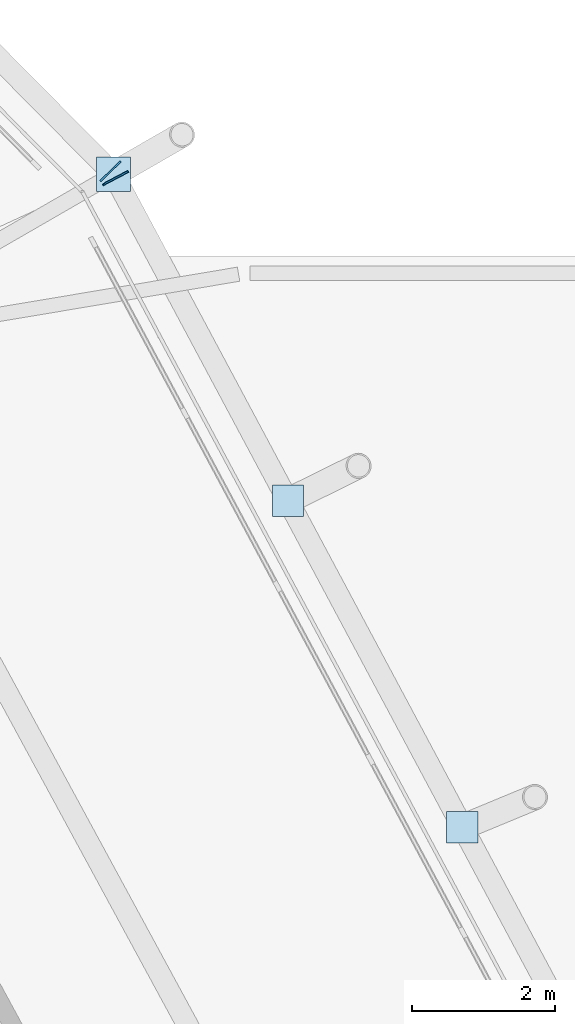
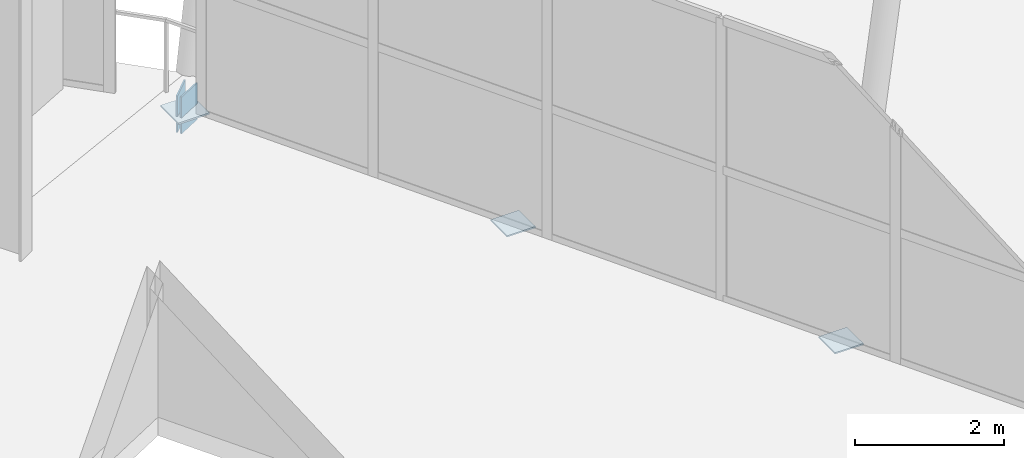
# One storey, part 88 of 126: 5 plates.
"""IFC4 building model written with IfcOpenShell, lengths in metres."""

from ifc_helpers import new_model, si_unit, direction, frame, origin, origin_2d, place, context, subcontext, project, spatial, rectangle, extrude, material, layer, layer_set, type_object, element, save


model = new_model("IFC4")

# Units and contexts
model_context = context("Model", 3, precision=1e-05, world=origin(), true_north=direction((0.0, 1.0)))
body_context = subcontext(model_context, "Body", "Model", "MODEL_VIEW")
ifc_project = project(units=[si_unit("LENGTHUNIT", "METRE"), si_unit("AREAUNIT", "SQUARE_METRE"), si_unit("VOLUMEUNIT", "CUBIC_METRE"), si_unit("PLANEANGLEUNIT", "RADIAN"), si_unit("MASSUNIT", "GRAM", prefix="KILO")], contexts=[model_context])

# Site, building, storey
site_placement = place(None, origin())
site = spatial("IfcSite", under=ifc_project, at=site_placement, CompositionType="ELEMENT")
building_placement = place(site_placement, origin())
building = spatial("IfcBuilding", under=site, at=building_placement, Name="Zlatoyarsky Gate Stadium", CompositionType="ELEMENT")
storey_placement = place(building_placement, frame((0.0, 0.0, 20.800048828125)))
storey = spatial("IfcBuildingStorey", under=building, at=storey_placement, Name="L04", CompositionType="ELEMENT", Elevation=20.800048828125)

# Plates
ifc_material = material(Name="Steel S355", Category="steel")
ifc_layer = layer(ifc_material, 0.02392578125)
ifc_layer_set = layer_set([ifc_layer], Name="Steel S355")
plate_type = type_object("IfcPlateType", Name="STEEL HOLLOW CHORD SPLICE SHEET 24", PredefinedType="SHEET", material=ifc_layer_set)
for number, where, z_axis, x_axis, name in (
    (1, (195.69921875, 117.831787109375, -0.85009765625), (0.0, 0.0, 1.0), (-0.471375588462, 0.881932568059, 0.0), "Hollow end cap ND-SP1 CAP-L04-SPD-01 B"),
    (2, (195.62890625, 117.927490234375, -0.85009765625), (0.0, 0.0, 1.0), (-0.703590883794, 0.71060528301, 0.0), "Hollow end cap ND-SP1 CAP-L04-SPD-02 A"),
):
    element("IfcPlate", number, at=place(storey_placement, frame(where, z_axis=z_axis, x_axis=x_axis)), inside=storey, type_object=plate_type, Name=name, PredefinedType="SHEET", context=body_context, shape_type="SweptSolid", body=[
        extrude(rectangle(XDim=0.02392578125, YDim=0.39990234375, at=origin_2d()), origin(), (0.0, 0.0, 1.0), 0.60009765625),
    ])
plate_placement = place(storey_placement, frame((195.6708984375, 117.884765625, -0.612060546875), z_axis=(0.0, 0.0, 1.0), x_axis=(1.0, 0.0, 0.0)))
element("IfcPlate", 3, at=plate_placement, inside=storey, type_object=plate_type, Name="Node closure plate ND-SP1 NCAP-L04-RSTR-02", PredefinedType="SHEET", context=body_context, shape_type="SweptSolid", body=[
    extrude(rectangle(XDim=0.47998046875, YDim=0.47998046875, at=origin_2d()), origin(), (0.0, 0.0, 1.0), 0.02392578125),
])
for number, where, z_axis, x_axis, name in (
    (4, (200.5546875, 108.747802734375, -0.56201171875), (0.0, 0.0, 1.0), (1.0, 0.0, 0.0), "Node closure plate ND-SP1 NCAP-RIB-01-2-2T"),
    (5, (198.11279296875, 113.316162109375, -0.56201171875), (0.0, 0.0, 1.0), (1.0, 0.0, 0.0), "Node closure plate ND-SP1 NCAP-RIB-01-3-2T"),
):
    element("IfcPlate", number, at=place(storey_placement, frame(where, z_axis=z_axis, x_axis=x_axis)), inside=storey, type_object=plate_type, Name=name, PredefinedType="SHEET", context=body_context, shape_type="SweptSolid", body=[
        extrude(rectangle(XDim=0.43994140625, YDim=0.43994140625, at=origin_2d()), origin(), (0.0, 0.0, 1.0), 0.02392578125),
    ])

save(model, "model.ifc")
